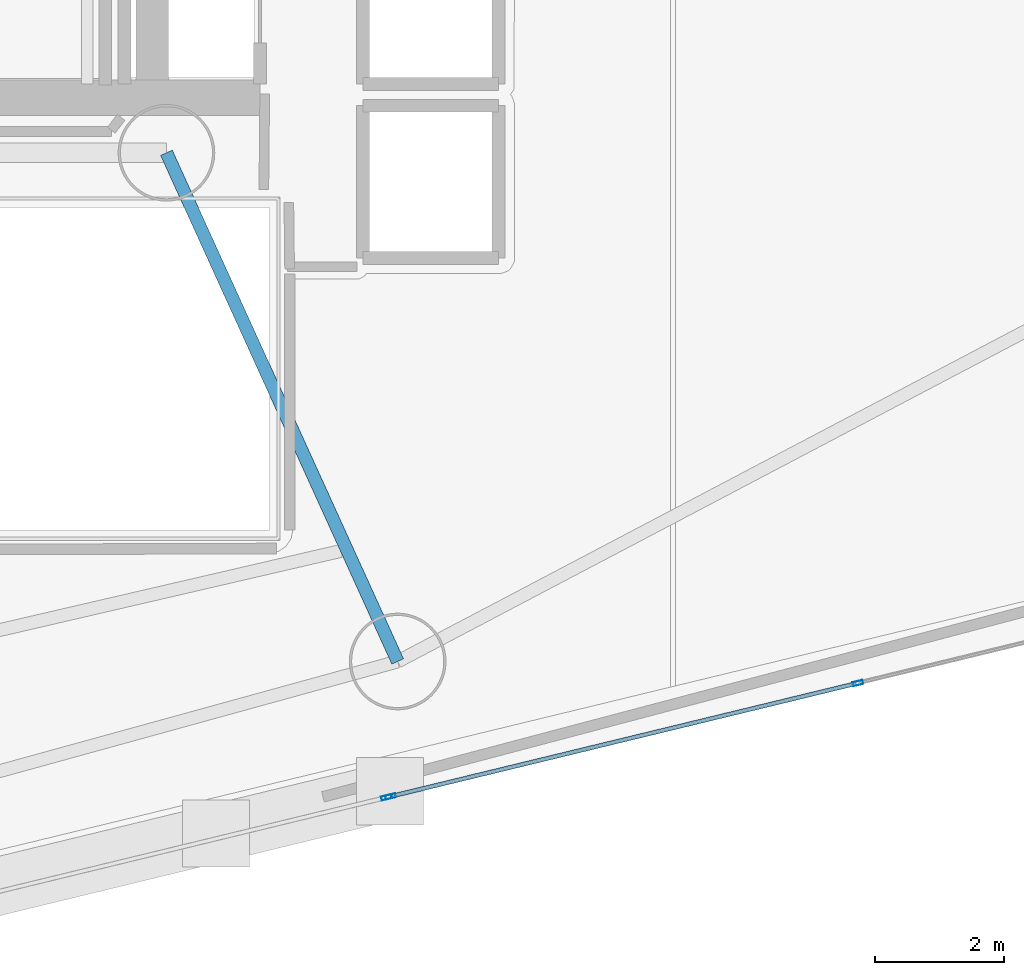
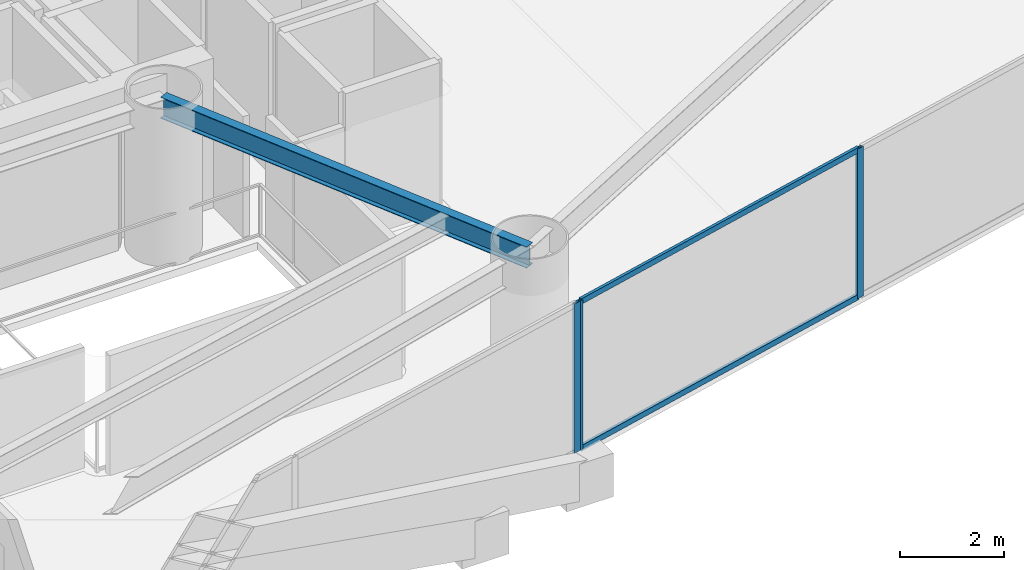
# One storey, part 7 of 24: 5 members, 1 beam, 2 elements without a shape of their own.
"""IFC4 building model written with IfcOpenShell, lengths in metres."""

from ifc_helpers import new_model, si_unit, direction, frame, origin, origin_2d, place, context, subcontext, project, spatial, hollow_rectangle, i_section, extrude, material, layer, layer_set, material_profile, profile_set, type_object, element, aggregate, save


model = new_model("IFC4")

# Units and contexts
model_context = context("Model", 3, precision=1e-05, world=origin(), true_north=direction((0.0, 1.0)))
body_context = subcontext(model_context, "Body", "Model", "MODEL_VIEW")
ifc_project = project(units=[si_unit("LENGTHUNIT", "METRE"), si_unit("AREAUNIT", "SQUARE_METRE"), si_unit("VOLUMEUNIT", "CUBIC_METRE"), si_unit("PLANEANGLEUNIT", "RADIAN"), si_unit("MASSUNIT", "GRAM", prefix="KILO")], contexts=[model_context])

# Site, building, storey
site_placement = place(None, origin())
site = spatial("IfcSite", under=ifc_project, at=site_placement, CompositionType="ELEMENT")
building_placement = place(site_placement, origin())
building = spatial("IfcBuilding", under=site, at=building_placement, Name="Qianvela Tower", CompositionType="ELEMENT")
storey_placement = place(building_placement, frame((0.0, 0.0, 101.5)))
storey = spatial("IfcBuildingStorey", under=building, at=storey_placement, Name="L25", CompositionType="ELEMENT", Elevation=101.5)

# Beam
ifc_material_1 = material(Name="Steel Q355B", Category="steel")
ifc_material_profile_1 = material_profile(ifc_material_1, i_section(OverallWidth=0.199951171875, OverallDepth=0.5, WebThickness=0.010009765625, FlangeThickness=0.01611328125, at=origin_2d()), Name="HN500x200x10x16")
ifc_profile_set_1 = profile_set([ifc_material_profile_1], Name="Steel Q355B")
beam_type = type_object("IfcBeamType", Name="BM-HN500-GIRD", PredefinedType="BEAM", material=ifc_profile_set_1)
beam_placement = place(storey_placement, frame((38.39990234375, 23.85009765625, 3.26806640625), z_axis=(0.413839009437, -0.910350083357, 0.0), x_axis=(0.910350083357, 0.413839009437, 0.0)))
element("IfcBeam", 1, at=beam_placement, inside=storey, type_object=beam_type, Name="L25 Radial Primary Floor Girder 6", PredefinedType="BEAM", context=body_context, shape_type="SweptSolid", body=[
    extrude(i_section(OverallWidth=0.199951171875, OverallDepth=0.5, WebThickness=0.010009765625, FlangeThickness=0.01611328125, at=origin_2d()), origin(), (0.0, 0.0, 1.0), 8.67041015625),
])

# Curtain wall, member
ifc_material_2 = material(Name="Anodised Architectural Aluminium and Insulated Spandrel Panel", Category="aluminium")
ifc_layer_1 = layer(ifc_material_2, 0.179931640625)
ifc_layer_set_1 = layer_set([ifc_layer_1], Name="Anodised Architectural Aluminium and Insulated Spandrel Panel")
curtain_wall_type_1 = type_object("IfcCurtainWallType", Name="CW-BRACEBAY", PredefinedType="USERDEFINED", material=ifc_layer_set_1)
curtain_wall_1_placement = place(storey_placement, origin())
curtain_wall_1 = element("IfcCurtainWall", 2, at=curtain_wall_1_placement, inside=storey, type_object=curtain_wall_type_1, Name="L25 CW-BRACEBAY Curtain Wall 06A", ObjectType="CURTAIN_WALL_SYSTEM", PredefinedType="USERDEFINED")
ifc_material_3 = material(Name="Anodised Architectural Aluminium 6063-T6", Category="aluminium")
ifc_material_profile_2 = material_profile(ifc_material_3, hollow_rectangle(XDim=0.06494140625, YDim=0.159912109375, WallThickness=0.0048828125, at=origin_2d()), Name="ALU-MULL-65x160")
ifc_profile_set_2 = profile_set([ifc_material_profile_2], Name="Anodised Architectural Aluminium 6063-T6")
member_type_1 = type_object("IfcMemberType", Name="CW-BRACEBAY-MULL", PredefinedType="MULLION", material=ifc_profile_set_2)
member_1_placement = place(storey_placement, frame((41.813232421875, 13.84765625, 0.0), z_axis=(0.0, 0.0, 1.0), x_axis=(-0.235701106427, 0.971825595685, 0.0)))
member_1 = element("IfcMember", 3, at=member_1_placement, type_object=member_type_1, Name="CW-9 mullion 3", PredefinedType="MULLION", context=body_context, shape_type="SweptSolid", body=[
    extrude(hollow_rectangle(XDim=0.06494140625, YDim=0.159912109375, WallThickness=0.0048828125, at=origin_2d()), origin(), (0.0, 0.0, 1.0), 3.52001953125),
])
aggregate(curtain_wall_1, [member_1])

# Curtain wall, members
ifc_material_4 = material(Name="Anodised Architectural Aluminium and Low-E Glass", Category="aluminium")
ifc_layer_2 = layer(ifc_material_4, 0.169921875)
ifc_layer_set_2 = layer_set([ifc_layer_2], Name="Anodised Architectural Aluminium and Low-E Glass")
curtain_wall_type_2 = type_object("IfcCurtainWallType", Name="CW-COLIV-Z34", PredefinedType="USERDEFINED", material=ifc_layer_set_2)
curtain_wall_2_placement = place(storey_placement, origin())
curtain_wall_2 = element("IfcCurtainWall", 4, at=curtain_wall_2_placement, inside=storey, type_object=curtain_wall_type_2, Name="L25 CW-COLIV-Z34 Curtain Wall 06B", ObjectType="CURTAIN_WALL_SYSTEM", PredefinedType="USERDEFINED")
ifc_material_5 = material(Name="Anodised Architectural Aluminium 6063-T6", Category="aluminium")
ifc_material_profile_3 = material_profile(ifc_material_5, hollow_rectangle(XDim=0.06494140625, YDim=0.159912109375, WallThickness=0.0048828125, at=origin_2d()), Name="ALU-MULL-65x160")
ifc_profile_set_3 = profile_set([ifc_material_profile_3], Name="Anodised Architectural Aluminium 6063-T6")
member_type_2 = type_object("IfcMemberType", Name="CW-COLIV-Z34-MULL", PredefinedType="MULLION", material=ifc_profile_set_3)
member_2_placement = place(storey_placement, frame((41.876220703125, 13.863037109375, 0.0), z_axis=(0.0, 0.0, 1.0), x_axis=(-0.235703504468, 0.971825014075, 0.0)))
member_2 = element("IfcMember", 5, at=member_2_placement, type_object=member_type_2, Name="CW-4 mullion 1", PredefinedType="MULLION", context=body_context, shape_type="SweptSolid", body=[
    extrude(hollow_rectangle(XDim=0.06494140625, YDim=0.159912109375, WallThickness=0.0048828125, at=origin_2d()), origin(), (0.0, 0.0, 1.0), 3.52001953125),
])
member_3_placement = place(storey_placement, frame((49.12890625, 15.6220703125, 0.0), z_axis=(0.0, 0.0, 1.0), x_axis=(-0.235703504468, 0.971825014075, 0.0)))
member_3 = element("IfcMember", 6, at=member_3_placement, type_object=member_type_2, Name="CW-4 mullion 2", PredefinedType="MULLION", context=body_context, shape_type="SweptSolid", body=[
    extrude(hollow_rectangle(XDim=0.06494140625, YDim=0.159912109375, WallThickness=0.0048828125, at=origin_2d()), origin(), (0.0, 0.0, 1.0), 3.52001953125),
])
ifc_material_6 = material(Name="Anodised Architectural Aluminium 6063-T6", Category="aluminium")
ifc_material_profile_4 = material_profile(ifc_material_6, hollow_rectangle(XDim=0.06494140625, YDim=0.1298828125, WallThickness=0.00439453125, at=origin_2d()), Name="ALU-TRAN-65x130")
ifc_profile_set_4 = profile_set([ifc_material_profile_4], Name="Anodised Architectural Aluminium 6063-T6")
member_type_3 = type_object("IfcMemberType", Name="CW-COLIV-Z34-TRAN", PredefinedType="USERDEFINED", material=ifc_profile_set_4)
member_4_placement = place(storey_placement, frame((41.907958984375, 13.87060546875, 0.032470703125), z_axis=(0.971819185537, 0.235727534715, 0.0), x_axis=(-0.235727534715, 0.971819185537, 0.0)))
member_4 = element("IfcMember", 7, at=member_4_placement, type_object=member_type_3, Name="CW-4 transom 1.1", ObjectType="TRANSOM", PredefinedType="USERDEFINED", context=body_context, shape_type="SweptSolid", body=[
    extrude(hollow_rectangle(XDim=0.06494140625, YDim=0.1298828125, WallThickness=0.00439453125, at=origin_2d()), origin(), (0.0, 0.0, 1.0), 7.39794921875),
])
member_5_placement = place(storey_placement, frame((41.907958984375, 13.87060546875, 3.487548828125), z_axis=(0.971819185537, 0.235727534715, 0.0), x_axis=(-0.235727534715, 0.971819185537, 0.0)))
member_5 = element("IfcMember", 8, at=member_5_placement, type_object=member_type_3, Name="CW-4 transom 1.2", ObjectType="TRANSOM", PredefinedType="USERDEFINED", context=body_context, shape_type="SweptSolid", body=[
    extrude(hollow_rectangle(XDim=0.06494140625, YDim=0.1298828125, WallThickness=0.00439453125, at=origin_2d()), origin(), (0.0, 0.0, 1.0), 7.39794921875),
])
aggregate(curtain_wall_2, [member_2, member_3, member_4, member_5])

save(model, "model.ifc")
